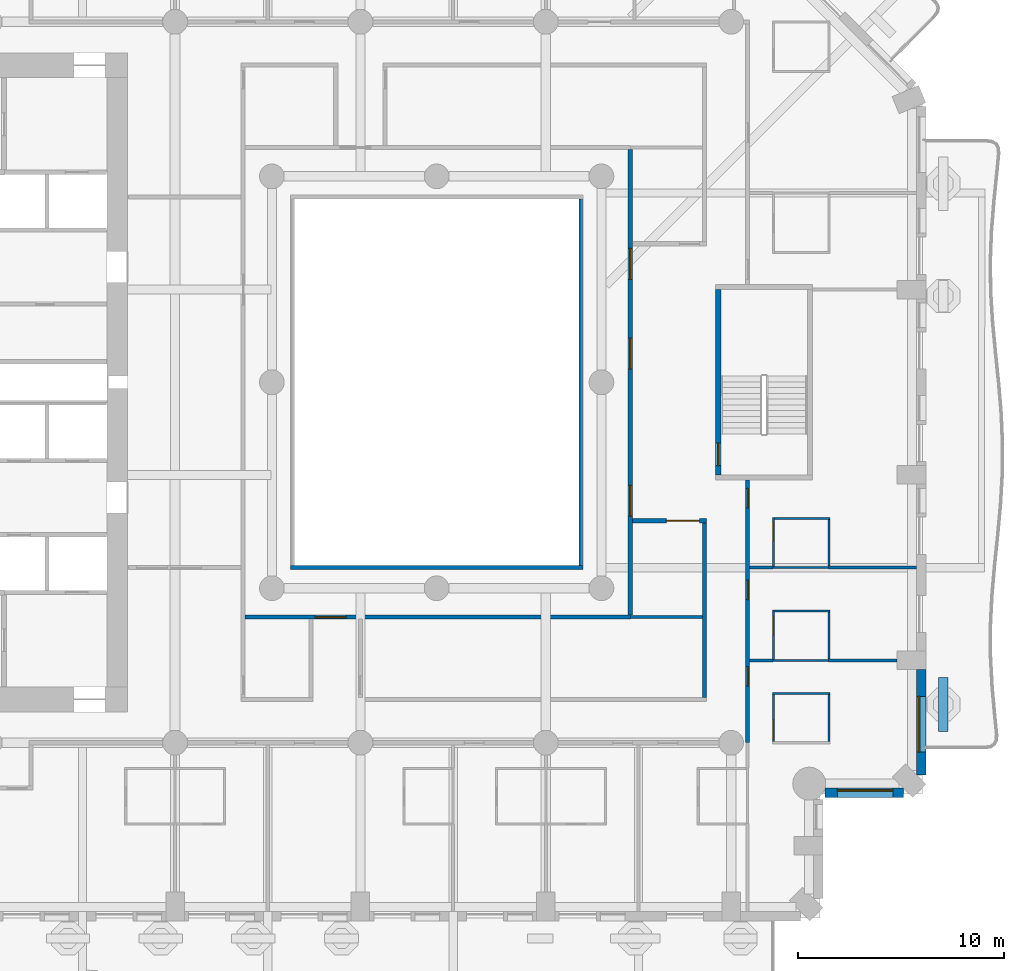
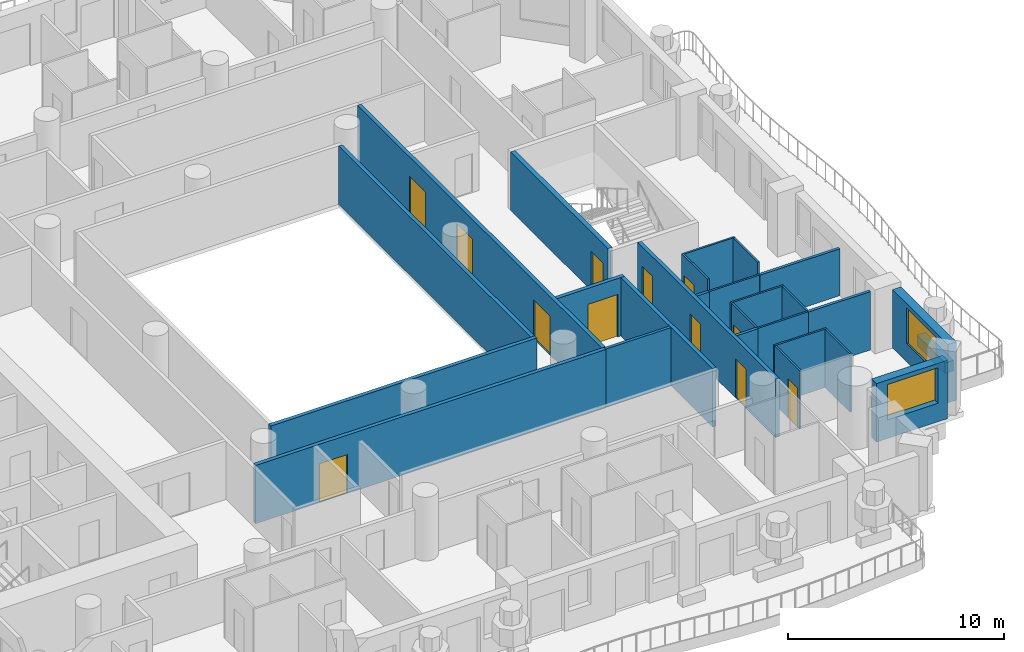
# One storey, part 6 of 20: 27 walls, 12 doors, 2 windows, 14 openings.
"""IFC4 building model written with IfcOpenShell, lengths in metres."""

from ifc_helpers import new_model, si_unit, direction, frame, frame_2d, origin, place, context, subcontext, project, spatial, rectangle, extrude, material, layer, layer_set, type_object, element, fill, save


model = new_model("IFC4")

# Units and contexts
model_context = context("Model", 3, precision=1e-05, world=origin(), true_north=direction((0.0, 1.0)))
body_context = subcontext(model_context, "Body", "Model", "MODEL_VIEW")
ifc_project = project(units=[si_unit("LENGTHUNIT", "METRE"), si_unit("AREAUNIT", "SQUARE_METRE"), si_unit("VOLUMEUNIT", "CUBIC_METRE"), si_unit("PLANEANGLEUNIT", "RADIAN"), si_unit("MASSUNIT", "GRAM", prefix="KILO")], contexts=[model_context])

# Site, building, storey
site_placement = place(None, origin())
site = spatial("IfcSite", under=ifc_project, at=site_placement, CompositionType="ELEMENT")
building_placement = place(site_placement, origin())
building = spatial("IfcBuilding", under=site, at=building_placement, Name="Cypress Arch Tower", CompositionType="ELEMENT")
storey_placement = place(building_placement, frame((0.0, 0.0, 59.10009765625)))
storey = spatial("IfcBuildingStorey", under=building, at=storey_placement, Name="L08", CompositionType="ELEMENT", Elevation=59.10009765625)

# Wall
ifc_material_1 = material(Name="Concrete C40/50, waterproofed", Category="concrete")
ifc_layer_1 = layer(ifc_material_1, 0.449951171875)
ifc_layer_set_1 = layer_set([ifc_layer_1], Name="Balcony planter wall PW450")
wall_type_1 = type_object("IfcWallType", Name="Balcony planter wall PW450", PredefinedType="SOLIDWALL", material=ifc_layer_set_1)
wall_1_placement = place(storey_placement, frame((25.60009765625, -16.949951171875, 0.0), z_axis=(0.0, 0.0, 1.0), x_axis=(0.0, 1.0, 0.0)))
element("IfcWall", 1, at=wall_1_placement, inside=storey, type_object=wall_type_1, Name="Balcony planter wall L08-A06.1", PredefinedType="SOLIDWALL", context=body_context, shape_type="SweptSolid", body=[
    extrude(rectangle(XDim=2.6142578125, YDim=0.449951171875, at=frame_2d((1.30712890625, 0.0))), origin(), (0.0, 0.0, 1.0), 0.599853515625),
])

# Wall, opening, window
ifc_material_2 = material(Name="Brick (red buff blend)", Category="masonry")
ifc_layer_2 = layer(ifc_material_2, 0.449951171875)
ifc_layer_set_2 = layer_set([ifc_layer_2], Name="Brick pier and spandrel wall BW450")
wall_type_2 = type_object("IfcWallType", Name="Brick pier and spandrel wall BW450", PredefinedType="SOLIDWALL", material=ifc_layer_set_2)
wall_2_placement = place(storey_placement, frame((19.8583984375, -19.925048828125, 0.0), z_axis=(0.0, 0.0, 1.0), x_axis=(1.0, 0.0, 0.0)))
wall_2 = element("IfcWall", 2, at=wall_2_placement, inside=storey, type_object=wall_type_2, Name="Brick wall L08 A05.0", PredefinedType="SOLIDWALL", context=body_context, shape_type="SweptSolid", body=[
    extrude(rectangle(XDim=3.80517578125, YDim=0.449951171875, at=frame_2d((1.902587890625, 0.0))), origin(), (0.0, 0.0, 1.0), 3.2998046875),
])
opening_1_placement = place(wall_2_placement, frame((0.591552734375, 0.0, 1.050048828125)))
opening_1 = element("IfcOpeningElement", 3, at=opening_1_placement, cuts=wall_2, Name="Opening W270H", PredefinedType="OPENING", context=body_context, shape_type="SweptSolid", body=[
    extrude(rectangle(XDim=2.699951171875, YDim=2.0, at=frame_2d((1.35009765625, 1.0))), frame((0.0, 0.23486328125, 0.0), z_axis=(0.0, -1.0, 0.0), x_axis=(1.0, 0.0, 0.0)), (0.0, 0.0, 1.0), 0.469970703125),
])
ifc_material_3 = material(Name="Anodised aluminium, bronze finish, clear low-emissivity double glazing", Category="aluminium")
window_type_1 = type_object("IfcWindowType", Name="Window Hotel 2700x2000", PartitioningType="SINGLE_PANEL", PredefinedType="WINDOW", material=ifc_material_3)
window_1_placement = place(opening_1_placement, origin())
window_1 = element("IfcWindow", 4, at=window_1_placement, inside=storey, type_object=window_type_1, Name="Window L08 A05.0.1", OverallHeight=2.0, OverallWidth=2.699951171875, PartitioningType="SINGLE_PANEL", PredefinedType="WINDOW", context=body_context, shape_type="SweptSolid", body=[
    extrude(rectangle(XDim=2.699951171875, YDim=2.0, at=frame_2d((1.35009765625, 1.0))), frame((0.0, 0.135009765625, 0.0), z_axis=(0.0, -1.0, 0.0), x_axis=(1.0, 0.0, 0.0)), (0.0, 0.0, 1.0), 0.06005859375),
])
fill(opening_1, window_1)

wall_3_placement = place(storey_placement, frame((24.52490234375, -19.063720703125, 0.0), z_axis=(0.0, 0.0, 1.0), x_axis=(0.0, 1.0, 0.0)))
wall_3 = element("IfcWall", 5, at=wall_3_placement, inside=storey, type_object=wall_type_2, Name="Brick wall L08 A06.0", PredefinedType="SOLIDWALL", context=body_context, shape_type="SweptSolid", body=[
    extrude(rectangle(XDim=5.11376953125, YDim=0.449951171875, at=frame_2d((2.556884765625, 0.0))), origin(), (0.0, 0.0, 1.0), 3.2998046875),
])
opening_2_placement = place(wall_3_placement, frame((1.113525390625, 0.0, 1.050048828125)))
opening_2 = element("IfcOpeningElement", 6, at=opening_2_placement, cuts=wall_3, Name="Opening W270HD", PredefinedType="OPENING", context=body_context, shape_type="SweptSolid", body=[
    extrude(rectangle(XDim=2.699951171875, YDim=2.0, at=frame_2d((1.35009765625, 1.0))), frame((0.0, 0.23486328125, 0.0), z_axis=(0.0, -1.0, 0.0), x_axis=(1.0, 0.0, 0.0)), (0.0, 0.0, 1.0), 0.469970703125),
])
ifc_material_4 = material(Name="Anodised aluminium, bronze finish, laminated low-emissivity double glazing, large-missile impact rated", Category="aluminium")
window_type_2 = type_object("IfcWindowType", Name="Window Hotel 2700x2000 debris-rated", PartitioningType="SINGLE_PANEL", PredefinedType="WINDOW", material=ifc_material_4)
window_2_placement = place(opening_2_placement, origin())
window_2 = element("IfcWindow", 7, at=window_2_placement, inside=storey, type_object=window_type_2, Name="Window L08 A06.0.1", OverallHeight=2.0, OverallWidth=2.699951171875, PartitioningType="SINGLE_PANEL", PredefinedType="WINDOW", context=body_context, shape_type="SweptSolid", body=[
    extrude(rectangle(XDim=2.699951171875, YDim=2.0, at=frame_2d((1.35009765625, 1.0))), frame((0.0, 0.135009765625, 0.0), z_axis=(0.0, -1.0, 0.0), x_axis=(1.0, 0.0, 0.0)), (0.0, 0.0, 1.0), 0.06005859375),
])
fill(opening_2, window_2)

# Wall, opening, door
ifc_material_5 = material(Name="Concrete blockwork, plastered, rated", Category="masonry")
ifc_layer_3 = layer(ifc_material_5, 0.199951171875)
ifc_layer_set_3 = layer_set([ifc_layer_3], Name="Corridor wall FW200")
wall_type_3 = type_object("IfcWallType", Name="Corridor wall FW200", PredefinedType="PARTITIONING", material=ifc_layer_set_3)
wall_4_placement = place(storey_placement, frame((-8.300048828125, -11.39990234375, 0.0), z_axis=(0.0, 0.0, 1.0), x_axis=(1.0, 0.0, 0.0)))
wall_4 = element("IfcWall", 8, at=wall_4_placement, inside=storey, type_object=wall_type_3, Name="Corridor wall", PredefinedType="PARTITIONING", context=body_context, shape_type="SweptSolid", body=[
    extrude(rectangle(XDim=18.699951171875, YDim=0.199951171875, at=frame_2d((9.35009765625, 0.0))), origin(), (0.0, 0.0, 1.0), 3.2998046875),
])
opening_3_placement = place(wall_4_placement, frame((3.39990234375, 0.0, 0.0)))
opening_3 = element("IfcOpeningElement", 9, at=opening_3_placement, cuts=wall_4, Name="Opening D04", PredefinedType="OPENING", context=body_context, shape_type="SweptSolid", body=[
    extrude(rectangle(XDim=1.5, YDim=2.199951171875, at=frame_2d((0.75, 1.10009765625))), frame((0.0, 0.10986328125, 0.0), z_axis=(0.0, -1.0, 0.0), x_axis=(1.0, 0.0, 0.0)), (0.0, 0.0, 1.0), 0.219970703125),
])
ifc_material_6 = material(Name="Timber double door", Category="wood")
door_type_1 = type_object("IfcDoorType", Name="Double door D04 1500x2200", OperationType="DOUBLE_DOOR_SINGLE_SWING", PredefinedType="DOOR", material=ifc_material_6)
door_1_placement = place(opening_3_placement, origin())
door_1 = element("IfcDoor", 10, at=door_1_placement, inside=storey, type_object=door_type_1, Name="Double door", OperationType="DOUBLE_DOOR_SINGLE_SWING", OverallHeight=2.199951171875, OverallWidth=1.5, PredefinedType="DOOR", context=body_context, shape_type="SweptSolid", body=[
    extrude(rectangle(XDim=1.5, YDim=2.199951171875, at=frame_2d((0.75, 1.10009765625))), frame((0.0, 0.02490234375, 0.0), z_axis=(0.0, -1.0, 0.0), x_axis=(1.0, 0.0, 0.0)), (0.0, 0.0, 1.0), 0.050048828125),
])
fill(opening_3, door_1)

# Walls
wall_5_placement = place(storey_placement, frame((-6.10009765625, -9.0, 0.0), z_axis=(0.0, 0.0, 1.0), x_axis=(1.0, 0.0, 0.0)))
element("IfcWall", 11, at=wall_5_placement, inside=storey, type_object=wall_type_3, Name="Corridor wall", PredefinedType="PARTITIONING", context=body_context, shape_type="SweptSolid", body=[
    extrude(rectangle(XDim=14.2001953125, YDim=0.199951171875, at=frame_2d((7.10009765625, 0.0))), origin(), (0.0, 0.0, 1.0), 3.2998046875),
])
wall_6_placement = place(storey_placement, frame((8.0, -8.89990234375, 0.0), z_axis=(0.0, 0.0, 1.0), x_axis=(0.0, 1.0, 0.0)))
element("IfcWall", 12, at=wall_6_placement, inside=storey, type_object=wall_type_3, Name="Corridor wall", PredefinedType="PARTITIONING", context=body_context, shape_type="SweptSolid", body=[
    extrude(rectangle(XDim=17.7998046875, YDim=0.199951171875, at=frame_2d((8.89990234375, 0.0))), origin(), (0.0, 0.0, 1.0), 3.2998046875),
])

# Wall, openings, doors
wall_7_placement = place(storey_placement, frame((10.39990234375, -11.300048828125, 0.0), z_axis=(0.0, 0.0, 1.0), x_axis=(0.0, 1.0, 0.0)))
wall_7 = element("IfcWall", 13, at=wall_7_placement, inside=storey, type_object=wall_type_3, Name="Corridor wall", PredefinedType="PARTITIONING", context=body_context, shape_type="SweptSolid", body=[
    extrude(rectangle(XDim=22.60009765625, YDim=0.199951171875, at=frame_2d((11.300048828125, 0.0))), origin(), (0.0, 0.0, 1.0), 3.2998046875),
])
opening_4_placement = place(wall_7_placement, frame((4.800048828125, 0.0, 0.0)))
opening_4 = element("IfcOpeningElement", 14, at=opening_4_placement, cuts=wall_7, Name="Opening D04", PredefinedType="OPENING", context=body_context, shape_type="SweptSolid", body=[
    extrude(rectangle(XDim=1.5, YDim=2.199951171875, at=frame_2d((0.75, 1.10009765625))), frame((0.0, 0.10986328125, 0.0), z_axis=(0.0, -1.0, 0.0), x_axis=(1.0, 0.0, 0.0)), (0.0, 0.0, 1.0), 0.219970703125),
])
opening_5_placement = place(wall_7_placement, frame((16.300048828125, 0.0, 0.0)))
opening_5 = element("IfcOpeningElement", 15, at=opening_5_placement, cuts=wall_7, Name="Opening D04", PredefinedType="OPENING", context=body_context, shape_type="SweptSolid", body=[
    extrude(rectangle(XDim=1.5, YDim=2.199951171875, at=frame_2d((0.75, 1.10009765625))), frame((0.0, 0.10986328125, 0.0), z_axis=(0.0, -1.0, 0.0), x_axis=(1.0, 0.0, 0.0)), (0.0, 0.0, 1.0), 0.219970703125),
])
opening_6_placement = place(wall_7_placement, frame((11.949951171875, 0.0, 0.0)))
opening_6 = element("IfcOpeningElement", 16, at=opening_6_placement, cuts=wall_7, Name="Opening D04", PredefinedType="OPENING", context=body_context, shape_type="SweptSolid", body=[
    extrude(rectangle(XDim=1.5, YDim=2.199951171875, at=frame_2d((0.75, 1.10009765625))), frame((0.0, 0.10986328125, 0.0), z_axis=(0.0, -1.0, 0.0), x_axis=(1.0, 0.0, 0.0)), (0.0, 0.0, 1.0), 0.219970703125),
])
door_2_placement = place(opening_4_placement, origin())
door_2 = element("IfcDoor", 17, at=door_2_placement, inside=storey, type_object=door_type_1, Name="Double door", OperationType="DOUBLE_DOOR_SINGLE_SWING", OverallHeight=2.199951171875, OverallWidth=1.5, PredefinedType="DOOR", context=body_context, shape_type="SweptSolid", body=[
    extrude(rectangle(XDim=1.5, YDim=2.199951171875, at=frame_2d((0.75, 1.10009765625))), frame((0.0, 0.02490234375, 0.0), z_axis=(0.0, -1.0, 0.0), x_axis=(1.0, 0.0, 0.0)), (0.0, 0.0, 1.0), 0.050048828125),
])
fill(opening_4, door_2)
door_3_placement = place(opening_5_placement, origin())
door_3 = element("IfcDoor", 18, at=door_3_placement, inside=storey, type_object=door_type_1, Name="Double door", OperationType="DOUBLE_DOOR_SINGLE_SWING", OverallHeight=2.199951171875, OverallWidth=1.5, PredefinedType="DOOR", context=body_context, shape_type="SweptSolid", body=[
    extrude(rectangle(XDim=1.5, YDim=2.199951171875, at=frame_2d((0.75, 1.10009765625))), frame((0.0, 0.02490234375, 0.0), z_axis=(0.0, -1.0, 0.0), x_axis=(1.0, 0.0, 0.0)), (0.0, 0.0, 1.0), 0.050048828125),
])
fill(opening_5, door_3)
door_4_placement = place(opening_6_placement, origin())
door_4 = element("IfcDoor", 19, at=door_4_placement, inside=storey, type_object=door_type_1, Name="Double door", OperationType="DOUBLE_DOOR_SINGLE_SWING", OverallHeight=2.199951171875, OverallWidth=1.5, PredefinedType="DOOR", context=body_context, shape_type="SweptSolid", body=[
    extrude(rectangle(XDim=1.5, YDim=2.199951171875, at=frame_2d((0.75, 1.10009765625))), frame((0.0, 0.02490234375, 0.0), z_axis=(0.0, -1.0, 0.0), x_axis=(1.0, 0.0, 0.0)), (0.0, 0.0, 1.0), 0.050048828125),
])
fill(opening_6, door_4)

# Wall, opening, door
wall_8_placement = place(storey_placement, frame((10.5, -6.72509765625, 0.0), z_axis=(0.0, 0.0, 1.0), x_axis=(1.0, 0.0, 0.0)))
wall_8 = element("IfcWall", 20, at=wall_8_placement, inside=storey, type_object=wall_type_3, Name="Corridor wall", PredefinedType="PARTITIONING", context=body_context, shape_type="SweptSolid", body=[
    extrude(rectangle(XDim=3.60009765625, YDim=0.199951171875, at=frame_2d((1.800048828125, 0.0))), origin(), (0.0, 0.0, 1.0), 3.2998046875),
])
opening_7_placement = place(wall_8_placement, frame((1.64990234375, 0.0, 0.0)))
opening_7 = element("IfcOpeningElement", 21, at=opening_7_placement, cuts=wall_8, Name="Opening D10", PredefinedType="OPENING", context=body_context, shape_type="SweptSolid", body=[
    extrude(rectangle(XDim=1.60009765625, YDim=2.39990234375, at=frame_2d((0.800048828125, 1.199951171875))), frame((0.0, 0.10986328125, 0.0), z_axis=(0.0, -1.0, 0.0), x_axis=(1.0, 0.0, 0.0)), (0.0, 0.0, 1.0), 0.219970703125),
])
ifc_material_7 = material(Name="Black aluminium glazed door", Category="aluminium")
door_type_2 = type_object("IfcDoorType", Name="Amenity door D10 1600x2400", OperationType="DOUBLE_DOOR_SINGLE_SWING", PredefinedType="DOOR", material=ifc_material_7)
door_5_placement = place(opening_7_placement, origin())
door_5 = element("IfcDoor", 22, at=door_5_placement, inside=storey, type_object=door_type_2, Name="Amenity door", OperationType="DOUBLE_DOOR_SINGLE_SWING", OverallHeight=2.39990234375, OverallWidth=1.60009765625, PredefinedType="DOOR", context=body_context, shape_type="SweptSolid", body=[
    extrude(rectangle(XDim=1.60009765625, YDim=2.39990234375, at=frame_2d((0.800048828125, 1.199951171875))), frame((0.0, 0.02490234375, 0.0), z_axis=(0.0, -1.0, 0.0), x_axis=(1.0, 0.0, 0.0)), (0.0, 0.0, 1.0), 0.050048828125),
])
fill(opening_7, door_5)

# Wall
wall_9_placement = place(storey_placement, frame((14.0, -15.300048828125, 0.0), z_axis=(0.0, 0.0, 1.0), x_axis=(0.0, 1.0, 0.0)))
element("IfcWall", 23, at=wall_9_placement, inside=storey, type_object=wall_type_3, Name="Corridor wall", PredefinedType="PARTITIONING", context=body_context, shape_type="SweptSolid", body=[
    extrude(rectangle(XDim=8.47509765625, YDim=0.199951171875, at=frame_2d((4.237548828125, 0.0))), origin(), (0.0, 0.0, 1.0), 3.2998046875),
])

# Wall, openings, doors
wall_10_placement = place(storey_placement, frame((16.10009765625, -17.5, 0.0), z_axis=(0.0, 0.0, 1.0), x_axis=(0.0, 1.0, 0.0)))
wall_10 = element("IfcWall", 24, at=wall_10_placement, inside=storey, type_object=wall_type_3, Name="Corridor wall", PredefinedType="PARTITIONING", context=body_context, shape_type="SweptSolid", body=[
    extrude(rectangle(XDim=12.75, YDim=0.199951171875, at=frame_2d((6.375, 0.0))), origin(), (0.0, 0.0, 1.0), 3.2998046875),
])
opening_8_placement = place(wall_10_placement, frame((2.75, 0.0, 0.0)))
opening_8 = element("IfcOpeningElement", 25, at=opening_8_placement, cuts=wall_10, Name="Opening D02", PredefinedType="OPENING", context=body_context, shape_type="SweptSolid", body=[
    extrude(rectangle(XDim=0.949951171875, YDim=2.199951171875, at=frame_2d((0.47509765625, 1.10009765625))), frame((0.0, 0.10986328125, 0.0), z_axis=(0.0, -1.0, 0.0), x_axis=(1.0, 0.0, 0.0)), (0.0, 0.0, 1.0), 0.219970703125),
])
opening_9_placement = place(wall_10_placement, frame((6.949951171875, 0.0, 0.0)))
opening_9 = element("IfcOpeningElement", 26, at=opening_9_placement, cuts=wall_10, Name="Opening D02", PredefinedType="OPENING", context=body_context, shape_type="SweptSolid", body=[
    extrude(rectangle(XDim=0.949951171875, YDim=2.199951171875, at=frame_2d((0.47509765625, 1.10009765625))), frame((0.0, 0.10986328125, 0.0), z_axis=(0.0, -1.0, 0.0), x_axis=(1.0, 0.0, 0.0)), (0.0, 0.0, 1.0), 0.219970703125),
])
opening_10_placement = place(wall_10_placement, frame((11.39990234375, 0.0, 0.0)))
opening_10 = element("IfcOpeningElement", 27, at=opening_10_placement, cuts=wall_10, Name="Opening D02", PredefinedType="OPENING", context=body_context, shape_type="SweptSolid", body=[
    extrude(rectangle(XDim=0.949951171875, YDim=2.199951171875, at=frame_2d((0.47509765625, 1.10009765625))), frame((0.0, 0.10986328125, 0.0), z_axis=(0.0, -1.0, 0.0), x_axis=(1.0, 0.0, 0.0)), (0.0, 0.0, 1.0), 0.219970703125),
])
ifc_material_8 = material(Name="Timber flush door, fire resisting", Category="wood")
door_type_3 = type_object("IfcDoorType", Name="Room door D02 950x2200", OperationType="SINGLE_SWING_LEFT", PredefinedType="DOOR", material=ifc_material_8)
door_6_placement = place(opening_8_placement, origin())
door_6 = element("IfcDoor", 28, at=door_6_placement, inside=storey, type_object=door_type_3, Name="Room door", OperationType="SINGLE_SWING_LEFT", OverallHeight=2.199951171875, OverallWidth=0.949951171875, PredefinedType="DOOR", context=body_context, shape_type="SweptSolid", body=[
    extrude(rectangle(XDim=0.949951171875, YDim=2.199951171875, at=frame_2d((0.47509765625, 1.10009765625))), frame((0.0, 0.02490234375, 0.0), z_axis=(0.0, -1.0, 0.0), x_axis=(1.0, 0.0, 0.0)), (0.0, 0.0, 1.0), 0.050048828125),
])
fill(opening_8, door_6)
door_7_placement = place(opening_9_placement, origin())
door_7 = element("IfcDoor", 29, at=door_7_placement, inside=storey, type_object=door_type_3, Name="Room door", OperationType="SINGLE_SWING_LEFT", OverallHeight=2.199951171875, OverallWidth=0.949951171875, PredefinedType="DOOR", context=body_context, shape_type="SweptSolid", body=[
    extrude(rectangle(XDim=0.949951171875, YDim=2.199951171875, at=frame_2d((0.47509765625, 1.10009765625))), frame((0.0, 0.02490234375, 0.0), z_axis=(0.0, -1.0, 0.0), x_axis=(1.0, 0.0, 0.0)), (0.0, 0.0, 1.0), 0.050048828125),
])
fill(opening_9, door_7)
door_8_placement = place(opening_10_placement, origin())
door_8 = element("IfcDoor", 30, at=door_8_placement, inside=storey, type_object=door_type_3, Name="Room door", OperationType="SINGLE_SWING_LEFT", OverallHeight=2.199951171875, OverallWidth=0.949951171875, PredefinedType="DOOR", context=body_context, shape_type="SweptSolid", body=[
    extrude(rectangle(XDim=0.949951171875, YDim=2.199951171875, at=frame_2d((0.47509765625, 1.10009765625))), frame((0.0, 0.02490234375, 0.0), z_axis=(0.0, -1.0, 0.0), x_axis=(1.0, 0.0, 0.0)), (0.0, 0.0, 1.0), 0.050048828125),
])
fill(opening_10, door_8)

# Walls
ifc_material_9 = material(Name="Blockwork, plastered both sides", Category="masonry")
ifc_layer_4 = layer(ifc_material_9, 0.14990234375)
ifc_layer_set_4 = layer_set([ifc_layer_4], Name="Partition PW150")
wall_type_4 = type_object("IfcWallType", Name="Partition PW150", PredefinedType="PARTITIONING", material=ifc_layer_set_4)
wall_11_placement = place(storey_placement, frame((10.39990234375, -11.39990234375, 0.0), z_axis=(0.0, 0.0, 1.0), x_axis=(1.0, 0.0, 0.0)))
element("IfcWall", 31, at=wall_11_placement, inside=storey, type_object=wall_type_4, Name="Partition", PredefinedType="PARTITIONING", context=body_context, shape_type="SweptSolid", body=[
    extrude(rectangle(XDim=3.5, YDim=0.14990234375, at=frame_2d((1.75, 0.0))), origin(), (0.0, 0.0, 1.0), 3.2998046875),
])
wall_12_placement = place(storey_placement, frame((16.199951171875, -13.5, 0.0), z_axis=(0.0, 0.0, 1.0), x_axis=(1.0, 0.0, 0.0)))
element("IfcWall", 32, at=wall_12_placement, inside=storey, type_object=wall_type_4, Name="Partition", PredefinedType="PARTITIONING", context=body_context, shape_type="SweptSolid", body=[
    extrude(rectangle(XDim=1.130126953125, YDim=0.14990234375, at=frame_2d((0.56494140625, 0.0))), origin(), (0.0, 0.0, 1.0), 3.2998046875),
])
wall_13_placement = place(storey_placement, frame((16.199951171875, -9.0, 0.0), z_axis=(0.0, 0.0, 1.0), x_axis=(1.0, 0.0, 0.0)))
element("IfcWall", 33, at=wall_13_placement, inside=storey, type_object=wall_type_4, Name="Partition", PredefinedType="PARTITIONING", context=body_context, shape_type="SweptSolid", body=[
    extrude(rectangle(XDim=1.130126953125, YDim=0.14990234375, at=frame_2d((0.56494140625, 0.0))), origin(), (0.0, 0.0, 1.0), 2.64990234375),
])
wall_14_placement = place(storey_placement, frame((20.030029296875, -13.5, 0.0), z_axis=(0.0, 0.0, 1.0), x_axis=(1.0, 0.0, 0.0)))
element("IfcWall", 34, at=wall_14_placement, inside=storey, type_object=wall_type_4, Name="Partition", PredefinedType="PARTITIONING", context=body_context, shape_type="SweptSolid", body=[
    extrude(rectangle(XDim=3.320068359375, YDim=0.14990234375, at=frame_2d((1.66015625, 0.0))), origin(), (0.0, 0.0, 1.0), 3.2998046875),
])
wall_15_placement = place(storey_placement, frame((20.030029296875, -9.0, 0.0), z_axis=(0.0, 0.0, 1.0), x_axis=(1.0, 0.0, 0.0)))
element("IfcWall", 35, at=wall_15_placement, inside=storey, type_object=wall_type_4, Name="Partition", PredefinedType="PARTITIONING", context=body_context, shape_type="SweptSolid", body=[
    extrude(rectangle(XDim=4.27001953125, YDim=0.14990234375, at=frame_2d((2.135009765625, 0.0))), origin(), (0.0, 0.0, 1.0), 2.64990234375),
])

# Wall, opening, door
ifc_material_10 = material(Name="Concrete C50/60", Category="concrete")
ifc_layer_5 = layer(ifc_material_10, 0.25)
ifc_layer_set_5 = layer_set([ifc_layer_5], Name="Stair enclosure wall SW250")
wall_type_5 = type_object("IfcWallType", Name="Stair enclosure wall SW250", PredefinedType="SHEAR", material=ifc_layer_set_5)
wall_16_placement = place(storey_placement, frame((14.675048828125, -4.5, 0.0), z_axis=(0.0, 0.0, 1.0), x_axis=(0.0, 1.0, 0.0)))
wall_16 = element("IfcWall", 36, at=wall_16_placement, inside=storey, type_object=wall_type_5, Name="Stair enclosure wall", PredefinedType="SHEAR", context=body_context, shape_type="SweptSolid", body=[
    extrude(rectangle(XDim=9.0, YDim=0.25, at=frame_2d((4.5, 0.0))), origin(), (0.0, 0.0, 1.0), 3.2998046875),
])
opening_11_placement = place(wall_16_placement, frame((0.449951171875, 0.0, 0.0)))
opening_11 = element("IfcOpeningElement", 37, at=opening_11_placement, cuts=wall_16, Name="Opening D06", PredefinedType="OPENING", context=body_context, shape_type="SweptSolid", body=[
    extrude(rectangle(XDim=1.10009765625, YDim=2.199951171875, at=frame_2d((0.550048828125, 1.10009765625))), frame((0.0, 0.135009765625, 0.0), z_axis=(0.0, -1.0, 0.0), x_axis=(1.0, 0.0, 0.0)), (0.0, 0.0, 1.0), 0.27001953125),
])
ifc_material_11 = material(Name="Steel door, fire resisting, panic bar", Category="steel")
door_type_4 = type_object("IfcDoorType", Name="Stair door D06 1100x2200", OperationType="SINGLE_SWING_LEFT", PredefinedType="DOOR", material=ifc_material_11)
door_9_placement = place(opening_11_placement, origin())
door_9 = element("IfcDoor", 38, at=door_9_placement, inside=storey, type_object=door_type_4, Name="Stair door", OperationType="SINGLE_SWING_RIGHT", OverallHeight=2.199951171875, OverallWidth=1.10009765625, PredefinedType="DOOR", context=body_context, shape_type="SweptSolid", body=[
    extrude(rectangle(XDim=1.10009765625, YDim=2.199951171875, at=frame_2d((0.550048828125, 1.10009765625))), frame((0.0, 0.02490234375, 0.0), z_axis=(0.0, -1.0, 0.0), x_axis=(1.0, 0.0, 0.0)), (0.0, 0.0, 1.0), 0.050048828125),
])
fill(opening_11, door_9)

# Walls
ifc_material_12 = material(Name="Moisture resistant board on steel studs, tiled", Category="steel")
ifc_layer_6 = layer(ifc_material_12, 0.10009765625)
ifc_layer_set_6 = layer_set([ifc_layer_6], Name="Wet wall PW100")
wall_type_6 = type_object("IfcWallType", Name="Wet wall PW100", PredefinedType="PARTITIONING", material=ifc_layer_set_6)
wall_17_placement = place(storey_placement, frame((17.330078125, -13.5, 0.0), z_axis=(0.0, 0.0, 1.0), x_axis=(1.0, 0.0, 0.0)))
element("IfcWall", 39, at=wall_17_placement, inside=storey, type_object=wall_type_6, Name="Wet wall", PredefinedType="PARTITIONING", context=body_context, shape_type="SweptSolid", body=[
    extrude(rectangle(XDim=2.699951171875, YDim=0.10009765625, at=frame_2d((1.35009765625, 0.0))), origin(), (0.0, 0.0, 1.0), 3.2998046875),
])
wall_18_placement = place(storey_placement, frame((17.330078125, -9.0, 0.0), z_axis=(0.0, 0.0, 1.0), x_axis=(1.0, 0.0, 0.0)))
element("IfcWall", 40, at=wall_18_placement, inside=storey, type_object=wall_type_6, Name="Wet wall", PredefinedType="PARTITIONING", context=body_context, shape_type="SweptSolid", body=[
    extrude(rectangle(XDim=2.699951171875, YDim=0.10009765625, at=frame_2d((1.35009765625, 0.0))), origin(), (0.0, 0.0, 1.0), 2.64990234375),
])

# Wall, opening, door
wall_19_placement = place(storey_placement, frame((17.35009765625, -17.449951171875, 0.0), z_axis=(0.0, 0.0, 1.0), x_axis=(0.0, 1.0, 0.0)))
wall_19 = element("IfcWall", 41, at=wall_19_placement, inside=storey, type_object=wall_type_6, Name="Wet wall", PredefinedType="PARTITIONING", context=body_context, shape_type="SweptSolid", body=[
    extrude(rectangle(XDim=2.300048828125, YDim=0.10009765625, at=frame_2d((1.14990234375, 0.0))), origin(), (0.0, 0.0, 1.0), 3.2998046875),
])
opening_12_placement = place(wall_19_placement, frame((0.14990234375, 0.0, 0.0)))
opening_12 = element("IfcOpeningElement", 42, at=opening_12_placement, cuts=wall_19, Name="Opening D03", PredefinedType="OPENING", context=body_context, shape_type="SweptSolid", body=[
    extrude(rectangle(XDim=0.89990234375, YDim=2.199951171875, at=frame_2d((0.449951171875, 1.10009765625))), frame((0.0, 0.06005859375, 0.0), z_axis=(0.0, -1.0, 0.0), x_axis=(1.0, 0.0, 0.0)), (0.0, 0.0, 1.0), 0.1201171875),
])
ifc_material_13 = material(Name="Timber flush door, moisture resistant", Category="wood")
door_type_5 = type_object("IfcDoorType", Name="Bathroom door D03 900x2200", OperationType="SINGLE_SWING_LEFT", PredefinedType="DOOR", material=ifc_material_13)
door_10_placement = place(opening_12_placement, origin())
door_10 = element("IfcDoor", 43, at=door_10_placement, inside=storey, type_object=door_type_5, Name="Bathroom door", OperationType="SINGLE_SWING_RIGHT", OverallHeight=2.199951171875, OverallWidth=0.89990234375, PredefinedType="DOOR", context=body_context, shape_type="SweptSolid", body=[
    extrude(rectangle(XDim=0.89990234375, YDim=2.199951171875, at=frame_2d((0.449951171875, 1.10009765625))), frame((0.0, 0.02490234375, 0.0), z_axis=(0.0, -1.0, 0.0), x_axis=(1.0, 0.0, 0.0)), (0.0, 0.0, 1.0), 0.050048828125),
])
fill(opening_12, door_10)

# Wall
wall_20_placement = place(storey_placement, frame((17.300048828125, -15.10009765625, 0.0), z_axis=(0.0, 0.0, 1.0), x_axis=(1.0, 0.0, 0.0)))
element("IfcWall", 44, at=wall_20_placement, inside=storey, type_object=wall_type_6, Name="Wet wall", PredefinedType="PARTITIONING", context=body_context, shape_type="SweptSolid", body=[
    extrude(rectangle(XDim=2.800048828125, YDim=0.10009765625, at=frame_2d((1.39990234375, 0.0))), origin(), (0.0, 0.0, 1.0), 3.2998046875),
])

# Wall, opening, door
wall_21_placement = place(storey_placement, frame((17.35009765625, -13.449951171875, 0.0), z_axis=(0.0, 0.0, 1.0), x_axis=(0.0, 1.0, 0.0)))
wall_21 = element("IfcWall", 45, at=wall_21_placement, inside=storey, type_object=wall_type_6, Name="Wet wall", PredefinedType="PARTITIONING", context=body_context, shape_type="SweptSolid", body=[
    extrude(rectangle(XDim=2.2958984375, YDim=0.10009765625, at=frame_2d((1.14794921875, 0.0))), origin(), (0.0, 0.0, 1.0), 3.2998046875),
])
opening_13_placement = place(wall_21_placement, frame((1.199951171875, 0.0, 0.0)))
opening_13 = element("IfcOpeningElement", 46, at=opening_13_placement, cuts=wall_21, Name="Opening D03", PredefinedType="OPENING", context=body_context, shape_type="SweptSolid", body=[
    extrude(rectangle(XDim=0.89990234375, YDim=2.199951171875, at=frame_2d((0.449951171875, 1.10009765625))), frame((0.0, 0.06005859375, 0.0), z_axis=(0.0, -1.0, 0.0), x_axis=(1.0, 0.0, 0.0)), (0.0, 0.0, 1.0), 0.1201171875),
])
door_11_placement = place(opening_13_placement, origin())
door_11 = element("IfcDoor", 47, at=door_11_placement, inside=storey, type_object=door_type_5, Name="Bathroom door", OperationType="SINGLE_SWING_LEFT", OverallHeight=2.199951171875, OverallWidth=0.89990234375, PredefinedType="DOOR", context=body_context, shape_type="SweptSolid", body=[
    extrude(rectangle(XDim=0.89990234375, YDim=2.199951171875, at=frame_2d((0.449951171875, 1.10009765625))), frame((0.0, 0.02490234375, 0.0), z_axis=(0.0, -1.0, 0.0), x_axis=(1.0, 0.0, 0.0)), (0.0, 0.0, 1.0), 0.050048828125),
])
fill(opening_13, door_11)

# Wall
wall_22_placement = place(storey_placement, frame((17.300048828125, -11.10400390625, 0.0), z_axis=(0.0, 0.0, 1.0), x_axis=(1.0, 0.0, 0.0)))
element("IfcWall", 48, at=wall_22_placement, inside=storey, type_object=wall_type_6, Name="Wet wall", PredefinedType="PARTITIONING", context=body_context, shape_type="SweptSolid", body=[
    extrude(rectangle(XDim=2.800048828125, YDim=0.10009765625, at=frame_2d((1.39990234375, 0.0))), origin(), (0.0, 0.0, 1.0), 3.2998046875),
])

# Wall, opening, door
wall_23_placement = place(storey_placement, frame((17.35009765625, -8.949951171875, 0.0), z_axis=(0.0, 0.0, 1.0), x_axis=(0.000407580973, 0.999999916939, 0.0)))
wall_23 = element("IfcWall", 49, at=wall_23_placement, inside=storey, type_object=wall_type_6, Name="Wet wall", PredefinedType="PARTITIONING", context=body_context, shape_type="SweptSolid", body=[
    extrude(rectangle(XDim=2.39599609375, YDim=0.10009765625, at=frame_2d((1.197998046875, 0.0))), origin(), (0.0, 0.0, 1.0), 3.2998046875),
])
opening_14_placement = place(wall_23_placement, frame((1.25, 0.0, 0.0)))
opening_14 = element("IfcOpeningElement", 50, at=opening_14_placement, cuts=wall_23, Name="Opening D03", PredefinedType="OPENING", context=body_context, shape_type="SweptSolid", body=[
    extrude(rectangle(XDim=0.89990234375, YDim=2.199951171875, at=frame_2d((0.449951171875, 1.10009765625))), frame((0.0, 0.06005859375, 0.0), z_axis=(0.0, -1.0, 0.0), x_axis=(1.0, 0.0, 0.0)), (0.0, 0.0, 1.0), 0.1201171875),
])
door_12_placement = place(opening_14_placement, origin())
door_12 = element("IfcDoor", 51, at=door_12_placement, inside=storey, type_object=door_type_5, Name="Bathroom door", OperationType="SINGLE_SWING_LEFT", OverallHeight=2.199951171875, OverallWidth=0.89990234375, PredefinedType="DOOR", context=body_context, shape_type="SweptSolid", body=[
    extrude(rectangle(XDim=0.89990234375, YDim=2.199951171875, at=frame_2d((0.449951171875, 1.10009765625))), frame((0.0, 0.02490234375, 0.0), z_axis=(0.0, -1.0, 0.0), x_axis=(1.0, 0.0, 0.0)), (0.0, 0.0, 1.0), 0.050048828125),
])
fill(opening_14, door_12)

# Walls
wall_24_placement = place(storey_placement, frame((17.40087890625, -6.60400390625, 0.0), z_axis=(0.0, 0.0, 1.0), x_axis=(0.9999999346, -0.000361663629, 0.0)))
element("IfcWall", 52, at=wall_24_placement, inside=storey, type_object=wall_type_6, Name="Wet wall", PredefinedType="PARTITIONING", context=body_context, shape_type="SweptSolid", body=[
    extrude(rectangle(XDim=2.7001953125, YDim=0.10009765625, at=frame_2d((1.35009765625, 0.0))), origin(), (0.0, 0.0, 1.0), 3.2998046875),
])
wall_25_placement = place(storey_placement, frame((20.050048828125, -17.449951171875, 0.0), z_axis=(0.0, 0.0, 1.0), x_axis=(0.0, 1.0, 0.0)))
element("IfcWall", 53, at=wall_25_placement, inside=storey, type_object=wall_type_6, Name="Wet wall", PredefinedType="PARTITIONING", context=body_context, shape_type="SweptSolid", body=[
    extrude(rectangle(XDim=2.300048828125, YDim=0.10009765625, at=frame_2d((1.14990234375, 0.0))), origin(), (0.0, 0.0, 1.0), 3.2998046875),
])
wall_26_placement = place(storey_placement, frame((20.050048828125, -13.425048828125, 0.0), z_axis=(0.0, 0.0, 1.0), x_axis=(0.0, 1.0, 0.0)))
element("IfcWall", 54, at=wall_26_placement, inside=storey, type_object=wall_type_6, Name="Wet wall", PredefinedType="PARTITIONING", context=body_context, shape_type="SweptSolid", body=[
    extrude(rectangle(XDim=2.27099609375, YDim=0.10009765625, at=frame_2d((1.135498046875, 0.0))), origin(), (0.0, 0.0, 1.0), 3.2998046875),
])
wall_27_placement = place(storey_placement, frame((20.050048828125, -8.925048828125, 0.0), z_axis=(0.0, 0.0, 1.0), x_axis=(0.000430200003, 0.999999907464, 0.0)))
element("IfcWall", 55, at=wall_27_placement, inside=storey, type_object=wall_type_6, Name="Wet wall", PredefinedType="PARTITIONING", context=body_context, shape_type="SweptSolid", body=[
    extrude(rectangle(XDim=2.27001953125, YDim=0.10009765625, at=frame_2d((1.135009765625, 0.0))), origin(), (0.0, 0.0, 1.0), 3.2998046875),
])

save(model, "model.ifc")
